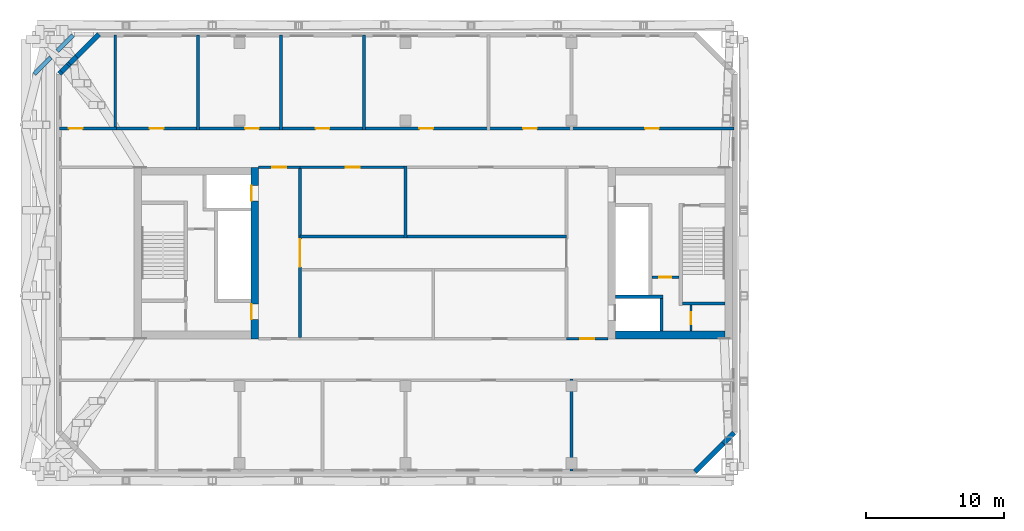
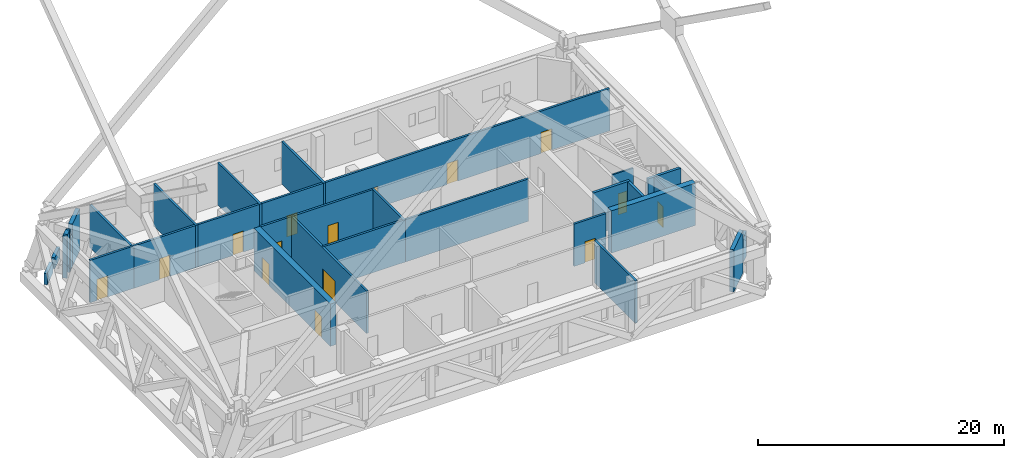
# One storey, part 9 of 22: 30 walls, 15 doors, 15 openings.
"""IFC4 building model written with IfcOpenShell, lengths in metres."""

import ifcopenshell
import ifcopenshell.guid

model = None  # the IFC model being written
_history = None  # IfcOwnerHistory: only IFC2X3 demands one
_inside = {}  # id of a spatial element -> (the spatial element, [elements in it])
_under = {}  # id of a project, library or spatial element -> (it, [spatial elements below it])
_declared = {}  # id of a project -> (the project, [libraries it declares])
_typed = {}  # id of a type object -> (the type object, [elements of that type])
_made_of = {}  # id of a material, layer set ... -> (it, [elements and type objects made of it])


def new_model(schema):
    """Start an empty IFC model of exactly this schema.

    Asked for "IFC4X3", IfcOpenShell would pick the latest addendum, in which some entities
    have other attributes; the version numbers below select the first issue.
    IFC2X3 requires an IfcOwnerHistory on every rooted entity: one is made here for all.
    """
    global model, _history
    if schema == "IFC4X3":
        model = ifcopenshell.file(schema_version=(4, 3, 0, 0))
    else:
        model = ifcopenshell.file(schema=schema)
    _inside.clear()
    _under.clear()
    _declared.clear()
    _typed.clear()
    _made_of.clear()
    _history = None
    if model.schema == "IFC2X3":
        org = make("IfcOrganization", Name="unknown")
        user = make(
            "IfcPersonAndOrganization",
            ThePerson=make("IfcPerson", FamilyName="unknown"),
            TheOrganization=org,
        )
        app = make(
            "IfcApplication",
            ApplicationDeveloper=org,
            Version="unknown",
            ApplicationFullName="unknown",
            ApplicationIdentifier="unknown",
        )
        _history = make(
            "IfcOwnerHistory",
            OwningUser=user,
            OwningApplication=app,
            ChangeAction="ADDED",
            CreationDate=0,
        )
    return model


def make(cls, **values):
    """One entity of the class cls with the attributes given. An attribute that is None is left unset."""
    return model.create_entity(
        cls, **{name: value for name, value in values.items() if value is not None}
    )


def rooted(cls, **values):
    """An entity with a GlobalId (a new one), such as an element, a storey or a relation."""
    return make(cls, GlobalId=ifcopenshell.guid.new(), OwnerHistory=_history, **values)


def si_unit(unit_type, name, prefix=None):
    """IfcSIUnit, for example si_unit("LENGTHUNIT", "METRE", prefix="MILLI")."""
    return make("IfcSIUnit", UnitType=unit_type, Prefix=prefix, Name=name)


def assignment(units):
    """IfcUnitAssignment: the units of a project."""
    return None if units is None else make("IfcUnitAssignment", Units=units)


def point(xyz):
    """IfcCartesianPoint."""
    return None if xyz is None else make("IfcCartesianPoint", Coordinates=xyz)


def direction(xyz):
    """IfcDirection."""
    return None if xyz is None else make("IfcDirection", DirectionRatios=xyz)


def frame(location, z_axis=None, x_axis=None):
    """IfcAxis2Placement3D, a coordinate frame: its origin and axes. An axis left out is left unset."""
    return make(
        "IfcAxis2Placement3D",
        Location=point(location),
        Axis=direction(z_axis),
        RefDirection=direction(x_axis),
    )


def frame_2d(location, x_axis=None):
    """IfcAxis2Placement2D, a coordinate frame in the plane: its origin and x axis."""
    return make(
        "IfcAxis2Placement2D", Location=point(location), RefDirection=direction(x_axis)
    )


def origin():
    """The frame at (0, 0, 0) with its axes left unset."""
    return frame((0.0, 0.0, 0.0))


def place(relative_to, where):
    """IfcLocalPlacement: puts the frame where relative to a parent placement (None: the world)."""
    return make(
        "IfcLocalPlacement", PlacementRelTo=relative_to, RelativePlacement=where
    )


def context(
    kind, dimensions, precision=None, world=None, true_north=None, identifier=None
):
    """IfcGeometricRepresentationContext, for example the 3D "Model" context."""
    return make(
        "IfcGeometricRepresentationContext",
        ContextIdentifier=identifier,
        ContextType=kind,
        CoordinateSpaceDimension=dimensions,
        Precision=precision,
        WorldCoordinateSystem=world,
        TrueNorth=true_north,
    )


def subcontext(parent, identifier, kind, view, scale=None):
    """IfcGeometricRepresentationSubContext, for example "Body" below "Model"."""
    return make(
        "IfcGeometricRepresentationSubContext",
        ContextIdentifier=identifier,
        ContextType=kind,
        ParentContext=parent,
        TargetScale=scale,
        TargetView=view,
    )


def project(units=None, contexts=None):
    """IfcProject with its units and contexts."""
    return rooted(
        "IfcProject",
        Name="project",
        RepresentationContexts=contexts,
        UnitsInContext=assignment(units),
    )


def spatial(cls, under=None, at=None, **own):
    """A site, building, storey or space (cls), placed at a placement, below another one or the project."""
    s = rooted(cls, ObjectPlacement=at, **own)
    if under is not None:
        _under.setdefault(under.id(), (under, []))[1].append(s)
    return s


def profile(cls, at=None, kind="AREA", **sizes):
    """A parametric profile (cls). Its sizes go by their IFC names, for example OverallWidth=200.0."""
    return make(cls, ProfileType=kind, Position=at, **sizes)


def rectangle(**sizes):
    """IfcRectangleProfileDef."""
    return profile("IfcRectangleProfileDef", **sizes)


def extrude(swept, where, along, depth):
    """IfcExtrudedAreaSolid: the profile swept, set in the frame where, extruded along a direction by depth."""
    return make(
        "IfcExtrudedAreaSolid",
        SweptArea=swept,
        Position=where,
        ExtrudedDirection=direction(along),
        Depth=depth,
    )


def shape(context_of_items, identifier, shape_type, items):
    """IfcShapeRepresentation: the items that make up one representation, for example the "Body"."""
    return make(
        "IfcShapeRepresentation",
        ContextOfItems=context_of_items,
        RepresentationIdentifier=identifier,
        RepresentationType=shape_type,
        Items=items,
    )


def material(Name=None, Category=None):
    """IfcMaterial."""
    return make("IfcMaterial", Name=Name, Category=Category)


def layer(
    of_material, thickness, ventilated=None, Name=None, Category=None, Priority=None
):
    """IfcMaterialLayer: one layer of a wall or slab, of a material (None: an air gap)."""
    return make(
        "IfcMaterialLayer",
        Material=of_material,
        LayerThickness=thickness,
        IsVentilated=ventilated,
        Name=Name,
        Category=Category,
        Priority=Priority,
    )


def layer_set(layers, Name=None):
    """IfcMaterialLayerSet."""
    return make("IfcMaterialLayerSet", MaterialLayers=layers, LayerSetName=Name)


def made_of(thing, what):
    """Note that an element or type object is made of a material, layer set ...; save() writes the relation."""
    if what is not None:
        _made_of.setdefault(what.id(), (what, []))[1].append(thing)
    return thing


def type_object(cls, material=None, **own):
    """A type object (cls), such as IfcWallType, which elements share."""
    return made_of(rooted(cls, **own), material)


def element(
    cls,
    number,
    at=None,
    inside=None,
    cuts=None,
    type_object=None,
    material=None,
    context=None,
    identifier="Body",
    shape_type=None,
    held_by="IfcProductDefinitionShape",
    body=None,
    shapes=None,
    **own,
):
    """One element of the class cls, such as IfcWall. Its Tag is "e" and its number.

    at: its placement. inside: the storey or other place that contains it. cuts: it is an
    opening in that element (IfcRelVoidsElement). A single representation is given by context,
    identifier, shape_type and body (its items); several are given by shapes. held_by: the class
    of the entity that holds the representations. save() writes the other relations.
    """
    e = rooted(cls, Tag="e%d" % number, ObjectPlacement=at, **own)
    if body is not None:
        shapes = [shape(context, identifier, shape_type, body)]
    if shapes is not None:
        e.Representation = make(held_by, Representations=shapes)
    if inside is not None:
        _inside.setdefault(inside.id(), (inside, []))[1].append(e)
    if cuts is not None:
        rooted(
            "IfcRelVoidsElement", RelatingBuildingElement=cuts, RelatedOpeningElement=e
        )
    if type_object is not None:
        _typed.setdefault(type_object.id(), (type_object, []))[1].append(e)
    return made_of(e, material)


def fill(opening, filler):
    """IfcRelFillsElement: the door or window that sits in an opening."""
    return rooted(
        "IfcRelFillsElement",
        RelatingOpeningElement=opening,
        RelatedBuildingElement=filler,
    )


def aggregate(whole, parts):
    """IfcRelAggregates: a whole, such as a stair, and the parts it consists of."""
    return rooted("IfcRelAggregates", RelatingObject=whole, RelatedObjects=parts)


def save(model, path):
    """Write the relations noted so far, then the file.

    IfcRelAggregates (storeys below a building ...), IfcRelContainedInSpatialStructure (elements
    in a storey), IfcRelDefinesByType, IfcRelAssociatesMaterial and IfcRelDeclares: one each for
    every whole, place, type object, material and project.
    """
    for whole, parts in _under.values():
        aggregate(whole, parts)
    for where, things in _inside.values():
        rooted(
            "IfcRelContainedInSpatialStructure",
            RelatedElements=things,
            RelatingStructure=where,
        )
    for kind, things in _typed.values():
        rooted("IfcRelDefinesByType", RelatedObjects=things, RelatingType=kind)
    for what, things in _made_of.values():
        rooted("IfcRelAssociatesMaterial", RelatedObjects=things, RelatingMaterial=what)
    for by, libraries in _declared.values():
        rooted("IfcRelDeclares", RelatingContext=by, RelatedDefinitions=libraries)
    model.write(path)


model = new_model("IFC4")

# Units and contexts
model_context = context("Model", 3, precision=1e-05, world=origin(), true_north=direction((0.0, 1.0)))
body_context = subcontext(model_context, "Body", "Model", "MODEL_VIEW")
ifc_project = project(units=[si_unit("LENGTHUNIT", "METRE"), si_unit("AREAUNIT", "SQUARE_METRE"), si_unit("VOLUMEUNIT", "CUBIC_METRE"), si_unit("PLANEANGLEUNIT", "RADIAN"), si_unit("MASSUNIT", "GRAM", prefix="KILO")], contexts=[model_context])

# Site, building, storey
site_placement = place(None, origin())
site = spatial("IfcSite", under=ifc_project, at=site_placement, CompositionType="ELEMENT")
building_placement = place(site_placement, origin())
building = spatial("IfcBuilding", under=site, at=building_placement, Name="Tuart Gate Housing", CompositionType="ELEMENT")
storey_placement = place(building_placement, frame((0.0, 0.0, 115.0)))
storey = spatial("IfcBuildingStorey", under=building, at=storey_placement, Name="L32", CompositionType="ELEMENT", Elevation=115.0)

# Walls
ifc_material_1 = material(Name="Brick", Category="masonry")
ifc_layer_1 = layer(ifc_material_1, 0.300048828125)
ifc_layer_set_1 = layer_set([ifc_layer_1], Name="Brick parapet wall 300")
wall_type_1 = type_object("IfcWallType", Name="Brick parapet wall 300", PredefinedType="PARAPET", material=ifc_layer_set_1)
wall_1_placement = place(storey_placement, frame((27.95458984375, 85.742431640625, 0.0), z_axis=(0.0, 0.0, 1.0), x_axis=(-0.707106781187, -0.707106781187, 0.0)))
element("IfcWall", 1, at=wall_1_placement, inside=storey, type_object=wall_type_1, Name="Roof parapet A 2", PredefinedType="PARAPET", context=body_context, shape_type="SweptSolid", body=[
    extrude(rectangle(XDim=1.6181640625, YDim=0.300048828125, at=frame_2d((0.80908203125, 0.0))), origin(), (0.0, 0.0, 1.0), 1.10009765625),
])
wall_2_placement = place(storey_placement, frame((26.353759765625, 84.1416015625, 0.0), z_axis=(0.0, 0.0, 1.0), x_axis=(-0.707178484961, -0.70703507014, 0.0)))
element("IfcWall", 2, at=wall_2_placement, inside=storey, type_object=wall_type_1, Name="Roof parapet A 2", PredefinedType="PARAPET", context=body_context, shape_type="SweptSolid", body=[
    extrude(rectangle(XDim=1.702392578125, YDim=0.300048828125, at=frame_2d((0.85107421875, 0.0))), origin(), (0.0, 0.0, 1.0), 1.10009765625),
])
ifc_material_2 = material(Name="Brick", Category="masonry")
ifc_layer_2 = layer(ifc_material_2, 0.360107421875)
ifc_layer_set_2 = layer_set([ifc_layer_2], Name="Brick pier and spandrel wall 360")
wall_type_2 = type_object("IfcWallType", Name="Brick pier and spandrel wall 360", PredefinedType="STANDARD", material=ifc_layer_set_2)
wall_3_placement = place(storey_placement, frame((72.92529296875, 54.179931640625, 0.0), z_axis=(0.0, 0.0, 1.0), x_axis=(0.707148882153, 0.707064677713, 0.0)))
element("IfcWall", 3, at=wall_3_placement, inside=storey, type_object=wall_type_2, Name="External wall A-SE L32", PredefinedType="STANDARD", context=body_context, shape_type="SweptSolid", body=[
    extrude(rectangle(XDim=2.8994140625, YDim=0.360107421875, at=frame_2d((1.44970703125, 0.0))), origin(), (0.0, 0.0, 1.0), 4.199951171875),
])
wall_4_placement = place(storey_placement, frame((74.9755859375, 56.22998046875, 0.952880859375), z_axis=(0.0, 0.0, 1.0), x_axis=(0.706994764273, 0.707218780358, 0.0)))
element("IfcWall", 4, at=wall_4_placement, inside=storey, type_object=wall_type_2, Name="External wall A-SE L32", PredefinedType="STANDARD", context=body_context, shape_type="SweptSolid", body=[
    extrude(rectangle(XDim=1.08984375, YDim=0.360107421875, at=frame_2d((0.544921875, 0.0))), origin(), (0.0, 0.0, 1.0), 2.444091796875),
])
wall_5_placement = place(storey_placement, frame((29.82470703125, 85.820068359375, 0.0), z_axis=(0.0, 0.0, 1.0), x_axis=(-0.707106781187, -0.707106781187, 0.0)))
element("IfcWall", 5, at=wall_5_placement, inside=storey, type_object=wall_type_2, Name="External wall A-NW L32", PredefinedType="STANDARD", context=body_context, shape_type="SweptSolid", body=[
    extrude(rectangle(XDim=2.291259765625, YDim=0.360107421875, at=frame_2d((1.1455078125, 0.0))), origin(), (0.0, 0.0, 1.0), 4.199951171875),
])
wall_6_placement = place(storey_placement, frame((28.20458984375, 84.199951171875, 0.0), z_axis=(0.0, 0.0, 1.0), x_axis=(-0.707106781187, -0.707106781187, 0.0)))
element("IfcWall", 6, at=wall_6_placement, inside=storey, type_object=wall_type_2, Name="External wall A-NW L32", PredefinedType="STANDARD", context=body_context, shape_type="SweptSolid", body=[
    extrude(rectangle(XDim=0.68994140625, YDim=0.360107421875, at=frame_2d((0.344970703125, 0.0))), origin(), (0.0, 0.0, 1.0), 3.39697265625),
])
wall_7_placement = place(storey_placement, frame((27.716796875, 83.712158203125, 0.0), z_axis=(0.0, 0.0, 1.0), x_axis=(-0.707106781187, -0.707106781187, 0.0)))
element("IfcWall", 7, at=wall_7_placement, inside=storey, type_object=wall_type_2, Name="External wall A-NW L32", PredefinedType="STANDARD", context=body_context, shape_type="SweptSolid", body=[
    extrude(rectangle(XDim=0.18603515625, YDim=0.360107421875, at=frame_2d((0.093017578125, 0.0))), origin(), (0.0, 0.0, 1.0), 4.199951171875),
])
wall_8_placement = place(storey_placement, frame((27.585205078125, 83.58056640625, 0.952880859375), z_axis=(0.0, 0.0, 1.0), x_axis=(-0.707106781187, -0.707106781187, 0.0)))
element("IfcWall", 8, at=wall_8_placement, inside=storey, type_object=wall_type_2, Name="External wall A-NW L32", PredefinedType="STANDARD", context=body_context, shape_type="SweptSolid", body=[
    extrude(rectangle(XDim=0.652099609375, YDim=0.360107421875, at=frame_2d((0.326171875, 0.0))), origin(), (0.0, 0.0, 1.0), 3.2470703125),
])
wall_9_placement = place(storey_placement, frame((27.1240234375, 83.119384765625, 0.0), z_axis=(0.0, 0.0, 1.0), x_axis=(-0.707106781187, -0.707106781187, 0.0)))
element("IfcWall", 9, at=wall_9_placement, inside=storey, type_object=wall_type_2, Name="External wall A-NW L32", PredefinedType="STANDARD", context=body_context, shape_type="SweptSolid", body=[
    extrude(rectangle(XDim=0.224365234375, YDim=0.360107421875, at=frame_2d((0.1123046875, 0.0))), origin(), (0.0, 0.0, 1.0), 4.199951171875),
])

# Wall, opening, door
ifc_material_3 = material(Name="Plasterboard partition")
ifc_layer_3 = layer(ifc_material_3, 0.14990234375)
ifc_layer_set_3 = layer_set([ifc_layer_3], Name="Core partition 150")
wall_type_3 = type_object("IfcWallType", Name="Core partition 150", PredefinedType="PARTITIONING", material=ifc_layer_set_3)
wall_10_placement = place(storey_placement, frame((69.81494140625, 68.25, 0.0), z_axis=(0.0, 0.0, 1.0), x_axis=(1.0, 0.0, 0.0)))
wall_10 = element("IfcWall", 10, at=wall_10_placement, inside=storey, type_object=wall_type_3, Name="Core partition AG.3", PredefinedType="PARTITIONING", context=body_context, shape_type="SweptSolid", body=[
    extrude(rectangle(XDim=1.949951171875, YDim=0.14990234375, at=frame_2d((0.97509765625, 0.0))), origin(), (0.0, 0.0, 1.0), 4.199951171875),
])
opening_1_placement = place(wall_10_placement, frame((0.550048828125, 0.0, 0.0)))
opening_1 = element("IfcOpeningElement", 11, at=opening_1_placement, cuts=wall_10, Name="Opening D3394", PredefinedType="OPENING", context=body_context, shape_type="SweptSolid", body=[
    extrude(rectangle(XDim=0.85009765625, YDim=2.10009765625, at=frame_2d((0.425048828125, 1.050048828125))), frame((0.0, 0.0849609375, 0.0), z_axis=(0.0, -1.0, 0.0), x_axis=(1.0, 0.0, 0.0)), (0.0, 0.0, 1.0), 0.169921875),
])
ifc_material_4 = material(Name="Steel fire door", Category="steel")
door_type_1 = type_object("IfcDoorType", Name="Riser door 850 x 2100 RH", OperationType="SINGLE_SWING_RIGHT", PredefinedType="DOOR", material=ifc_material_4)
door_1_placement = place(opening_1_placement, frame((0.85009765625, 0.0, 0.0), z_axis=(0.0, 0.0, 1.0), x_axis=(-1.0, 0.0, 0.0)))
door_1 = element("IfcDoor", 12, at=door_1_placement, inside=storey, type_object=door_type_1, Name="Service room door AG.E1", OperationType="SINGLE_SWING_RIGHT", OverallHeight=2.10009765625, OverallWidth=0.85009765625, PredefinedType="DOOR", context=body_context, shape_type="SweptSolid", body=[
    extrude(rectangle(XDim=0.85009765625, YDim=2.10009765625, at=frame_2d((0.425048828125, 1.050048828125))), frame((0.0, 0.025146484375, 0.0), z_axis=(0.0, -1.0, 0.0), x_axis=(1.0, 0.0, 0.0)), (0.0, 0.0, 1.0), 0.050048828125),
])
fill(opening_1, door_1)

wall_11_placement = place(storey_placement, frame((72.639892578125, 64.35009765625, 0.0), z_axis=(0.0, 0.0, 1.0), x_axis=(0.0, 1.0, 0.0)))
wall_11 = element("IfcWall", 13, at=wall_11_placement, inside=storey, type_object=wall_type_3, Name="Core partition AG.9", PredefinedType="PARTITIONING", context=body_context, shape_type="SweptSolid", body=[
    extrude(rectangle(XDim=1.875, YDim=0.14990234375, at=frame_2d((0.9375, 0.0))), origin(), (0.0, 0.0, 1.0), 4.199951171875),
])
opening_2_placement = place(wall_11_placement, frame((0.512451171875, 0.0, 0.0)))
opening_2 = element("IfcOpeningElement", 14, at=opening_2_placement, cuts=wall_11, Name="Opening D3396", PredefinedType="OPENING", context=body_context, shape_type="SweptSolid", body=[
    extrude(rectangle(XDim=0.85009765625, YDim=2.10009765625, at=frame_2d((0.425048828125, 1.050048828125))), frame((0.0, 0.0849609375, 0.0), z_axis=(0.0, -1.0, 0.0), x_axis=(1.0, 0.0, 0.0)), (0.0, 0.0, 1.0), 0.169921875),
])
ifc_material_5 = material(Name="Steel fire door", Category="steel")
door_type_2 = type_object("IfcDoorType", Name="Service door 850 x 2100 RH", OperationType="SINGLE_SWING_RIGHT", PredefinedType="DOOR", material=ifc_material_5)
door_2_placement = place(opening_2_placement, frame((0.85009765625, 0.0, 0.0), z_axis=(0.0, 0.0, 1.0), x_axis=(-1.0, 0.0, 0.0)))
door_2 = element("IfcDoor", 15, at=door_2_placement, inside=storey, type_object=door_type_2, Name="Service room door AG.E2", OperationType="SINGLE_SWING_RIGHT", OverallHeight=2.10009765625, OverallWidth=0.85009765625, PredefinedType="DOOR", context=body_context, shape_type="SweptSolid", body=[
    extrude(rectangle(XDim=0.85009765625, YDim=2.10009765625, at=frame_2d((0.425048828125, 1.050048828125))), frame((0.0, 0.025146484375, 0.0), z_axis=(0.0, -1.0, 0.0), x_axis=(1.0, 0.0, 0.0)), (0.0, 0.0, 1.0), 0.050048828125),
])
fill(opening_2, door_2)

# Walls
ifc_material_6 = material(Name="Concrete C50", Category="concrete")
ifc_layer_4 = layer(ifc_material_6, 0.25)
ifc_layer_set_4 = layer_set([ifc_layer_4], Name="Core wall 250 C50")
wall_type_4 = type_object("IfcWallType", Name="Core wall 250 C50", PredefinedType="SHEAR", material=ifc_layer_set_4)
wall_12_placement = place(storey_placement, frame((72.014892578125, 66.35009765625, 0.0), z_axis=(0.0, 0.0, 1.0), x_axis=(1.0, 0.0, 0.0)))
element("IfcWall", 16, at=wall_12_placement, inside=storey, type_object=wall_type_4, Name="Core wall AG.1", PredefinedType="SHEAR", context=body_context, shape_type="SweptSolid", body=[
    extrude(rectangle(XDim=3.0751953125, YDim=0.25, at=frame_2d((1.53759765625, 0.0))), origin(), (0.0, 0.0, 1.0), 4.199951171875),
])
wall_13_placement = place(storey_placement, frame((67.18994140625, 66.85009765625, 0.0), z_axis=(0.0, 0.0, 1.0), x_axis=(1.0, 0.0, 0.0)))
element("IfcWall", 17, at=wall_13_placement, inside=storey, type_object=wall_type_4, Name="Core wall AG.2", PredefinedType="SHEAR", context=body_context, shape_type="SweptSolid", body=[
    extrude(rectangle(XDim=3.445068359375, YDim=0.25, at=frame_2d((1.72265625, 0.0))), origin(), (0.0, 0.0, 1.0), 4.199951171875),
])
wall_14_placement = place(storey_placement, frame((70.510009765625, 64.35009765625, 0.0), z_axis=(0.0, 0.0, 1.0), x_axis=(0.0, 1.0, 0.0)))
element("IfcWall", 18, at=wall_14_placement, inside=storey, type_object=wall_type_4, Name="Core wall AG.7", PredefinedType="SHEAR", context=body_context, shape_type="SweptSolid", body=[
    extrude(rectangle(XDim=2.375, YDim=0.25, at=frame_2d((1.1875, 0.0))), origin(), (0.0, 0.0, 1.0), 4.199951171875),
])
ifc_material_7 = material(Name="Concrete C50", Category="concrete")
ifc_layer_5 = layer(ifc_material_7, 0.550048828125)
ifc_layer_set_5 = layer_set([ifc_layer_5], Name="Core wall 550 C50")
wall_type_5 = type_object("IfcWallType", Name="Core wall 550 C50", PredefinedType="SHEAR", material=ifc_layer_set_5)
wall_15_placement = place(storey_placement, frame((67.18994140625, 64.074951171875, 0.0), z_axis=(0.0, 0.0, 1.0), x_axis=(1.0, 0.0, 0.0)))
element("IfcWall", 19, at=wall_15_placement, inside=storey, type_object=wall_type_5, Name="Core wall AG south", PredefinedType="SHEAR", context=body_context, shape_type="SweptSolid", body=[
    extrude(rectangle(XDim=7.900146484375, YDim=0.550048828125, at=frame_2d((3.9501953125, 0.0))), origin(), (0.0, 0.0, 1.0), 4.199951171875),
])

# Wall, openings, doors
wall_16_placement = place(storey_placement, frame((41.0849609375, 76.199951171875, 0.0), z_axis=(0.0, 0.0, 1.0), x_axis=(0.0, -1.0, 0.0)))
wall_16 = element("IfcWall", 20, at=wall_16_placement, inside=storey, type_object=wall_type_5, Name="Core wall AK front", PredefinedType="SHEAR", context=body_context, shape_type="SweptSolid", body=[
    extrude(rectangle(XDim=12.39990234375, YDim=0.550048828125, at=frame_2d((6.199951171875, 0.0))), origin(), (0.0, 0.0, 1.0), 4.199951171875),
])
opening_3_placement = place(wall_16_placement, frame((1.324951171875, 0.0, 0.0)))
opening_3 = element("IfcOpeningElement", 21, at=opening_3_placement, cuts=wall_16, Name="Opening LD-FA2", PredefinedType="OPENING", context=body_context, shape_type="SweptSolid", body=[
    extrude(rectangle(XDim=1.10009765625, YDim=2.10009765625, at=frame_2d((0.550048828125, 1.050048828125))), frame((0.0, 0.284912109375, 0.0), z_axis=(0.0, -1.0, 0.0), x_axis=(1.0, 0.0, 0.0)), (0.0, 0.0, 1.0), 0.570068359375),
])
opening_4_placement = place(wall_16_placement, frame((9.89990234375, 0.0, 0.0)))
opening_4 = element("IfcOpeningElement", 22, at=opening_4_placement, cuts=wall_16, Name="Opening D3390", PredefinedType="OPENING", context=body_context, shape_type="SweptSolid", body=[
    extrude(rectangle(XDim=1.10009765625, YDim=2.10009765625, at=frame_2d((0.550048828125, 1.050048828125))), frame((0.0, 0.284912109375, 0.0), z_axis=(0.0, -1.0, 0.0), x_axis=(1.0, 0.0, 0.0)), (0.0, 0.0, 1.0), 0.570068359375),
])
ifc_material_8 = material(Name="Stainless steel", Category="steel")
door_type_3 = type_object("IfcDoorType", Name="Landing door 1100 x 2100", OperationType="DOUBLE_DOOR_SLIDING", PredefinedType="DOOR", material=ifc_material_8)
door_3_placement = place(opening_3_placement, origin())
door_3 = element("IfcDoor", 23, at=door_3_placement, inside=storey, type_object=door_type_3, Name="Lift landing door FA2", OperationType="DOUBLE_DOOR_SLIDING", OverallHeight=2.10009765625, OverallWidth=1.10009765625, PredefinedType="DOOR", context=body_context, shape_type="SweptSolid", body=[
    extrude(rectangle(XDim=1.10009765625, YDim=2.10009765625, at=frame_2d((0.550048828125, 1.050048828125))), frame((0.0, -0.2099609375, 0.0), z_axis=(0.0, -1.0, 0.0), x_axis=(1.0, 0.0, 0.0)), (0.0, 0.0, 1.0), 0.050048828125),
])
fill(opening_3, door_3)
ifc_material_9 = material(Name="Steel fire door", Category="steel")
door_type_4 = type_object("IfcDoorType", Name="Lobby door 1100 x 2100 RH", OperationType="SINGLE_SWING_RIGHT", PredefinedType="DOOR", material=ifc_material_9)
door_4_placement = place(opening_4_placement, frame((1.10009765625, 0.0, 0.0), z_axis=(0.0, 0.0, 1.0), x_axis=(-1.0, 0.0, 0.0)))
door_4 = element("IfcDoor", 24, at=door_4_placement, inside=storey, type_object=door_type_4, Name="Lobby entry door AK.EN", OperationType="SINGLE_SWING_RIGHT", OverallHeight=2.10009765625, OverallWidth=1.10009765625, PredefinedType="DOOR", context=body_context, shape_type="SweptSolid", body=[
    extrude(rectangle(XDim=1.10009765625, YDim=2.10009765625, at=frame_2d((0.550048828125, 1.050048828125))), frame((0.0, 0.260009765625, 0.0), z_axis=(0.0, -1.0, 0.0), x_axis=(1.0, 0.0, 0.0)), (0.0, 0.0, 1.0), 0.050048828125),
])
fill(opening_4, door_4)

# Wall
ifc_material_10 = material(Name="Concrete masonry 15 MPa", Category="masonry")
ifc_layer_6 = layer(ifc_material_10, 0.199951171875)
ifc_layer_set_6 = layer_set([ifc_layer_6], Name="Corridor wall masonry 200")
wall_type_6 = type_object("IfcWallType", Name="Corridor wall masonry 200", PredefinedType="PARTITIONING", material=ifc_layer_set_6)
wall_17_placement = place(storey_placement, frame((44.360107421875, 71.199951171875, 0.0), z_axis=(0.0, 0.0, 1.0), x_axis=(1.0, 0.0, 0.0)))
element("IfcWall", 25, at=wall_17_placement, inside=storey, type_object=wall_type_6, Name="Corridor wall masonry 200", PredefinedType="PARTITIONING", context=body_context, shape_type="SweptSolid", body=[
    extrude(rectangle(XDim=7.739990234375, YDim=0.199951171875, at=frame_2d((3.8701171875, 0.0))), origin(), (0.0, 0.0, 1.0), 4.199951171875),
])

# Wall, opening, door
wall_18_placement = place(storey_placement, frame((44.360107421875, 76.199951171875, 0.0), z_axis=(0.0, 0.0, 1.0), x_axis=(1.0, 0.0, 0.0)))
wall_18 = element("IfcWall", 26, at=wall_18_placement, inside=storey, type_object=wall_type_6, Name="Corridor wall masonry 200", PredefinedType="PARTITIONING", context=body_context, shape_type="SweptSolid", body=[
    extrude(rectangle(XDim=7.739990234375, YDim=0.199951171875, at=frame_2d((3.8701171875, 0.0))), origin(), (0.0, 0.0, 1.0), 4.199951171875),
])
opening_5_placement = place(wall_18_placement, frame((3.320068359375, 0.0, 0.0)))
opening_5 = element("IfcOpeningElement", 27, at=opening_5_placement, cuts=wall_18, Name="Opening D3384", PredefinedType="OPENING", context=body_context, shape_type="SweptSolid", body=[
    extrude(rectangle(XDim=1.0, YDim=2.10009765625, at=frame_2d((0.5, 1.050048828125))), frame((0.0, 0.10986328125, 0.0), z_axis=(0.0, -1.0, 0.0), x_axis=(1.0, 0.0, 0.0)), (0.0, 0.0, 1.0), 0.219970703125),
])
ifc_material_11 = material(Name="Timber door leaf in steel frame", Category="steel")
door_type_5 = type_object("IfcDoorType", Name="Fire door 1000 RH", OperationType="SINGLE_SWING_RIGHT", PredefinedType="DOOR", material=ifc_material_11)
door_5_placement = place(opening_5_placement, frame((1.0, 0.0, 0.0), z_axis=(0.0, 0.0, 1.0), x_axis=(-1.0, 0.0, 0.0)))
door_5 = element("IfcDoor", 28, at=door_5_placement, inside=storey, type_object=door_type_5, Name="Fire door 1000", OperationType="SINGLE_SWING_RIGHT", OverallHeight=2.10009765625, OverallWidth=1.0, PredefinedType="DOOR", context=body_context, shape_type="SweptSolid", body=[
    extrude(rectangle(XDim=1.0, YDim=2.10009765625, at=frame_2d((0.5, 1.050048828125))), frame((0.0, 0.025146484375, 0.0), z_axis=(0.0, -1.0, 0.0), x_axis=(1.0, 0.0, 0.0)), (0.0, 0.0, 1.0), 0.050048828125),
])
fill(opening_5, door_5)

wall_19_placement = place(storey_placement, frame((26.989990234375, 79.0, 0.0), z_axis=(0.0, 0.0, 1.0), x_axis=(1.0, 0.0, 0.0)))
wall_19 = element("IfcWall", 29, at=wall_19_placement, inside=storey, type_object=wall_type_6, Name="Corridor wall masonry 200", PredefinedType="PARTITIONING", context=body_context, shape_type="SweptSolid", body=[
    extrude(rectangle(XDim=4.110107421875, YDim=0.199951171875, at=frame_2d((2.05517578125, 0.0))), origin(), (0.0, 0.0, 1.0), 4.199951171875),
])
opening_6_placement = place(wall_19_placement, frame((0.6650390625, 0.0, 0.0)))
opening_6 = element("IfcOpeningElement", 30, at=opening_6_placement, cuts=wall_19, Name="Opening D3376", PredefinedType="OPENING", context=body_context, shape_type="SweptSolid", body=[
    extrude(rectangle(XDim=1.0, YDim=2.10009765625, at=frame_2d((0.5, 1.050048828125))), frame((0.0, 0.10986328125, 0.0), z_axis=(0.0, -1.0, 0.0), x_axis=(1.0, 0.0, 0.0)), (0.0, 0.0, 1.0), 0.219970703125),
])
ifc_material_12 = material(Name="Timber door leaf in steel frame", Category="steel")
door_type_6 = type_object("IfcDoorType", Name="Fire door 1000", OperationType="SINGLE_SWING_LEFT", PredefinedType="DOOR", material=ifc_material_12)
door_6_placement = place(opening_6_placement, origin())
door_6 = element("IfcDoor", 31, at=door_6_placement, inside=storey, type_object=door_type_6, Name="Fire door 1000", OperationType="SINGLE_SWING_LEFT", OverallHeight=2.10009765625, OverallWidth=1.0, PredefinedType="DOOR", context=body_context, shape_type="SweptSolid", body=[
    extrude(rectangle(XDim=1.0, YDim=2.10009765625, at=frame_2d((0.5, 1.050048828125))), frame((0.0, 0.02490234375, 0.0), z_axis=(0.0, -1.0, 0.0), x_axis=(1.0, 0.0, 0.0)), (0.0, 0.0, 1.0), 0.050048828125),
])
fill(opening_6, door_6)

ifc_material_13 = material(Name="Concrete masonry 15 MPa", Category="masonry")
ifc_layer_7 = layer(ifc_material_13, 0.199951171875)
ifc_layer_set_7 = layer_set([ifc_layer_7], Name="Enclosure wall masonry 200")
wall_type_7 = type_object("IfcWallType", Name="Enclosure wall masonry 200", PredefinedType="PARTITIONING", material=ifc_layer_set_7)
wall_20_placement = place(storey_placement, frame((63.639892578125, 63.800048828125, 0.0), z_axis=(0.0, 0.0, 1.0), x_axis=(1.0, 0.0, 0.0)))
wall_20 = element("IfcWall", 32, at=wall_20_placement, inside=storey, type_object=wall_type_7, Name="Enclosure wall masonry 200", PredefinedType="PARTITIONING", context=body_context, shape_type="SweptSolid", body=[
    extrude(rectangle(XDim=3.0, YDim=0.199951171875, at=frame_2d((1.5, 0.0))), origin(), (0.0, 0.0, 1.0), 4.199951171875),
])
opening_7_placement = place(wall_20_placement, frame((1.0, 0.0, 0.0)))
opening_7 = element("IfcOpeningElement", 33, at=opening_7_placement, cuts=wall_20, Name="Opening D3401", PredefinedType="OPENING", context=body_context, shape_type="SweptSolid", body=[
    extrude(rectangle(XDim=1.0, YDim=2.10009765625, at=frame_2d((0.5, 1.050048828125))), frame((0.0, 0.10986328125, 0.0), z_axis=(0.0, -1.0, 0.0), x_axis=(1.0, 0.0, 0.0)), (0.0, 0.0, 1.0), 0.219970703125),
])
ifc_material_14 = material(Name="Timber door leaf in steel frame", Category="steel")
door_type_7 = type_object("IfcDoorType", Name="Lobby door 1000", OperationType="SINGLE_SWING_LEFT", PredefinedType="DOOR", material=ifc_material_14)
door_7_placement = place(opening_7_placement, origin())
door_7 = element("IfcDoor", 34, at=door_7_placement, inside=storey, type_object=door_type_7, Name="Lobby door 1000", OperationType="SINGLE_SWING_LEFT", OverallHeight=2.10009765625, OverallWidth=1.0, PredefinedType="DOOR", context=body_context, shape_type="SweptSolid", body=[
    extrude(rectangle(XDim=1.0, YDim=2.10009765625, at=frame_2d((0.5, 1.050048828125))), frame((0.0, 0.02490234375, 0.0), z_axis=(0.0, -1.0, 0.0), x_axis=(1.0, 0.0, 0.0)), (0.0, 0.0, 1.0), 0.050048828125),
])
fill(opening_7, door_7)

# Wall
wall_21_placement = place(storey_placement, frame((51.89990234375, 71.199951171875, 0.0), z_axis=(0.0, 0.0, 1.0), x_axis=(1.0, 0.0, 0.0)))
element("IfcWall", 35, at=wall_21_placement, inside=storey, type_object=wall_type_7, Name="Enclosure wall masonry 200", PredefinedType="PARTITIONING", context=body_context, shape_type="SweptSolid", body=[
    extrude(rectangle(XDim=11.739990234375, YDim=0.199951171875, at=frame_2d((5.8701171875, 0.0))), origin(), (0.0, 0.0, 1.0), 4.199951171875),
])

# Wall, opening, door
wall_22_placement = place(storey_placement, frame((41.360107421875, 76.199951171875, 0.0), z_axis=(0.0, 0.0, 1.0), x_axis=(1.0, 0.0, 0.0)))
wall_22 = element("IfcWall", 36, at=wall_22_placement, inside=storey, type_object=wall_type_7, Name="Enclosure wall masonry 200", PredefinedType="PARTITIONING", context=body_context, shape_type="SweptSolid", body=[
    extrude(rectangle(XDim=3.0, YDim=0.199951171875, at=frame_2d((1.5, 0.0))), origin(), (0.0, 0.0, 1.0), 4.199951171875),
])
opening_8_placement = place(wall_22_placement, frame((1.0, 0.0, 0.0)))
opening_8 = element("IfcOpeningElement", 37, at=opening_8_placement, cuts=wall_22, Name="Opening D3383", PredefinedType="OPENING", context=body_context, shape_type="SweptSolid", body=[
    extrude(rectangle(XDim=1.0, YDim=2.10009765625, at=frame_2d((0.5, 1.050048828125))), frame((0.0, 0.10986328125, 0.0), z_axis=(0.0, -1.0, 0.0), x_axis=(1.0, 0.0, 0.0)), (0.0, 0.0, 1.0), 0.219970703125),
])
door_8_placement = place(opening_8_placement, frame((1.0, 0.0, 0.0), z_axis=(0.0, 0.0, 1.0), x_axis=(-1.0, 0.0, 0.0)))
door_8 = element("IfcDoor", 38, at=door_8_placement, inside=storey, type_object=door_type_7, Name="Lobby door 1000", OperationType="SINGLE_SWING_LEFT", OverallHeight=2.10009765625, OverallWidth=1.0, PredefinedType="DOOR", context=body_context, shape_type="SweptSolid", body=[
    extrude(rectangle(XDim=1.0, YDim=2.10009765625, at=frame_2d((0.5, 1.050048828125))), frame((0.0, 0.025146484375, 0.0), z_axis=(0.0, -1.0, 0.0), x_axis=(1.0, 0.0, 0.0)), (0.0, 0.0, 1.0), 0.050048828125),
])
fill(opening_8, door_8)

# Wall, openings, doors
wall_23_placement = place(storey_placement, frame((30.89990234375, 79.0, 0.0), z_axis=(0.0, 0.0, 1.0), x_axis=(1.0, 0.0, 0.0)))
wall_23 = element("IfcWall", 39, at=wall_23_placement, inside=storey, type_object=wall_type_7, Name="Enclosure wall masonry 200", PredefinedType="PARTITIONING", context=body_context, shape_type="SweptSolid", body=[
    extrude(rectangle(XDim=44.860107421875, YDim=0.199951171875, at=frame_2d((22.43017578125, 0.0))), origin(), (0.0, 0.0, 1.0), 4.199951171875),
])
opening_9_placement = place(wall_23_placement, frame((2.60009765625, 0.0, 0.0)))
opening_9 = element("IfcOpeningElement", 40, at=opening_9_placement, cuts=wall_23, Name="Opening D3377", PredefinedType="OPENING", context=body_context, shape_type="SweptSolid", body=[
    extrude(rectangle(XDim=1.0, YDim=2.10009765625, at=frame_2d((0.5, 1.050048828125))), frame((0.0, 0.10986328125, 0.0), z_axis=(0.0, -1.0, 0.0), x_axis=(1.0, 0.0, 0.0)), (0.0, 0.0, 1.0), 0.219970703125),
])
opening_10_placement = place(wall_23_placement, frame((9.5, 0.0, 0.0)))
opening_10 = element("IfcOpeningElement", 41, at=opening_10_placement, cuts=wall_23, Name="Opening D3378", PredefinedType="OPENING", context=body_context, shape_type="SweptSolid", body=[
    extrude(rectangle(XDim=1.0, YDim=2.10009765625, at=frame_2d((0.5, 1.050048828125))), frame((0.0, 0.10986328125, 0.0), z_axis=(0.0, -1.0, 0.0), x_axis=(1.0, 0.0, 0.0)), (0.0, 0.0, 1.0), 0.219970703125),
])
opening_11_placement = place(wall_23_placement, frame((14.60009765625, 0.0, 0.0)))
opening_11 = element("IfcOpeningElement", 42, at=opening_11_placement, cuts=wall_23, Name="Opening D3379", PredefinedType="OPENING", context=body_context, shape_type="SweptSolid", body=[
    extrude(rectangle(XDim=1.0, YDim=2.10009765625, at=frame_2d((0.5, 1.050048828125))), frame((0.0, 0.10986328125, 0.0), z_axis=(0.0, -1.0, 0.0), x_axis=(1.0, 0.0, 0.0)), (0.0, 0.0, 1.0), 0.219970703125),
])
opening_12_placement = place(wall_23_placement, frame((22.10009765625, 0.0, 0.0)))
opening_12 = element("IfcOpeningElement", 43, at=opening_12_placement, cuts=wall_23, Name="Opening D3380", PredefinedType="OPENING", context=body_context, shape_type="SweptSolid", body=[
    extrude(rectangle(XDim=1.0, YDim=2.10009765625, at=frame_2d((0.5, 1.050048828125))), frame((0.0, 0.10986328125, 0.0), z_axis=(0.0, -1.0, 0.0), x_axis=(1.0, 0.0, 0.0)), (0.0, 0.0, 1.0), 0.219970703125),
])
opening_13_placement = place(wall_23_placement, frame((29.60009765625, 0.0, 0.0)))
opening_13 = element("IfcOpeningElement", 44, at=opening_13_placement, cuts=wall_23, Name="Opening D3381", PredefinedType="OPENING", context=body_context, shape_type="SweptSolid", body=[
    extrude(rectangle(XDim=1.0, YDim=2.10009765625, at=frame_2d((0.5, 1.050048828125))), frame((0.0, 0.10986328125, 0.0), z_axis=(0.0, -1.0, 0.0), x_axis=(1.0, 0.0, 0.0)), (0.0, 0.0, 1.0), 0.219970703125),
])
opening_14_placement = place(wall_23_placement, frame((38.419921875, 0.0, 0.0)))
opening_14 = element("IfcOpeningElement", 45, at=opening_14_placement, cuts=wall_23, Name="Opening D3382", PredefinedType="OPENING", context=body_context, shape_type="SweptSolid", body=[
    extrude(rectangle(XDim=1.0, YDim=2.10009765625, at=frame_2d((0.5, 1.050048828125))), frame((0.0, 0.10986328125, 0.0), z_axis=(0.0, -1.0, 0.0), x_axis=(1.0, 0.0, 0.0)), (0.0, 0.0, 1.0), 0.219970703125),
])
door_9_placement = place(opening_9_placement, origin())
door_9 = element("IfcDoor", 46, at=door_9_placement, inside=storey, type_object=door_type_6, Name="Fire door 1000", OperationType="SINGLE_SWING_LEFT", OverallHeight=2.10009765625, OverallWidth=1.0, PredefinedType="DOOR", context=body_context, shape_type="SweptSolid", body=[
    extrude(rectangle(XDim=1.0, YDim=2.10009765625, at=frame_2d((0.5, 1.050048828125))), frame((0.0, 0.02490234375, 0.0), z_axis=(0.0, -1.0, 0.0), x_axis=(1.0, 0.0, 0.0)), (0.0, 0.0, 1.0), 0.050048828125),
])
fill(opening_9, door_9)
door_10_placement = place(opening_11_placement, origin())
door_10 = element("IfcDoor", 47, at=door_10_placement, inside=storey, type_object=door_type_6, Name="Fire door 1000", OperationType="SINGLE_SWING_LEFT", OverallHeight=2.10009765625, OverallWidth=1.0, PredefinedType="DOOR", context=body_context, shape_type="SweptSolid", body=[
    extrude(rectangle(XDim=1.0, YDim=2.10009765625, at=frame_2d((0.5, 1.050048828125))), frame((0.0, 0.02490234375, 0.0), z_axis=(0.0, -1.0, 0.0), x_axis=(1.0, 0.0, 0.0)), (0.0, 0.0, 1.0), 0.050048828125),
])
fill(opening_11, door_10)
door_11_placement = place(opening_12_placement, origin())
door_11 = element("IfcDoor", 48, at=door_11_placement, inside=storey, type_object=door_type_6, Name="Fire door 1000", OperationType="SINGLE_SWING_LEFT", OverallHeight=2.10009765625, OverallWidth=1.0, PredefinedType="DOOR", context=body_context, shape_type="SweptSolid", body=[
    extrude(rectangle(XDim=1.0, YDim=2.10009765625, at=frame_2d((0.5, 1.050048828125))), frame((0.0, 0.02490234375, 0.0), z_axis=(0.0, -1.0, 0.0), x_axis=(1.0, 0.0, 0.0)), (0.0, 0.0, 1.0), 0.050048828125),
])
fill(opening_12, door_11)
door_12_placement = place(opening_13_placement, origin())
door_12 = element("IfcDoor", 49, at=door_12_placement, inside=storey, type_object=door_type_6, Name="Fire door 1000", OperationType="SINGLE_SWING_LEFT", OverallHeight=2.10009765625, OverallWidth=1.0, PredefinedType="DOOR", context=body_context, shape_type="SweptSolid", body=[
    extrude(rectangle(XDim=1.0, YDim=2.10009765625, at=frame_2d((0.5, 1.050048828125))), frame((0.0, 0.02490234375, 0.0), z_axis=(0.0, -1.0, 0.0), x_axis=(1.0, 0.0, 0.0)), (0.0, 0.0, 1.0), 0.050048828125),
])
fill(opening_13, door_12)
door_13_placement = place(opening_14_placement, origin())
door_13 = element("IfcDoor", 50, at=door_13_placement, inside=storey, type_object=door_type_6, Name="Fire door 1000", OperationType="SINGLE_SWING_LEFT", OverallHeight=2.10009765625, OverallWidth=1.0, PredefinedType="DOOR", context=body_context, shape_type="SweptSolid", body=[
    extrude(rectangle(XDim=1.0, YDim=2.10009765625, at=frame_2d((0.5, 1.050048828125))), frame((0.0, 0.02490234375, 0.0), z_axis=(0.0, -1.0, 0.0), x_axis=(1.0, 0.0, 0.0)), (0.0, 0.0, 1.0), 0.050048828125),
])
fill(opening_14, door_13)
door_14_placement = place(opening_10_placement, origin())
door_14 = element("IfcDoor", 51, at=door_14_placement, inside=storey, type_object=door_type_5, Name="Fire door 1000", OperationType="SINGLE_SWING_RIGHT", OverallHeight=2.10009765625, OverallWidth=1.0, PredefinedType="DOOR", context=body_context, shape_type="SweptSolid", body=[
    extrude(rectangle(XDim=1.0, YDim=2.10009765625, at=frame_2d((0.5, 1.050048828125))), frame((0.0, 0.02490234375, 0.0), z_axis=(0.0, -1.0, 0.0), x_axis=(1.0, 0.0, 0.0)), (0.0, 0.0, 1.0), 0.050048828125),
])
fill(opening_10, door_14)

# Walls
for number, where, z_axis, x_axis, name in (
    (52, (31.0, 78.89990234375, 0.0), (0.0, 0.0, 1.0), (0.0, 1.0, 0.0), "Enclosure wall masonry 200"),
    (53, (37.0, 78.89990234375, 0.0), (0.0, 0.0, 1.0), (0.0, 1.0, 0.0), "Enclosure wall masonry 200"),
    (54, (43.0, 78.89990234375, 0.0), (0.0, 0.0, 1.0), (0.0, 1.0, 0.0), "Enclosure wall masonry 200"),
    (55, (49.0, 78.89990234375, 0.0), (0.0, 0.0, 1.0), (0.0, 1.0, 0.0), "Enclosure wall masonry 200"),
):
    element("IfcWall", number, at=place(storey_placement, frame(where, z_axis=z_axis, x_axis=x_axis)), inside=storey, type_object=wall_type_7, Name=name, PredefinedType="PARTITIONING", context=body_context, shape_type="SweptSolid", body=[
        extrude(rectangle(XDim=6.860107421875, YDim=0.199951171875, at=frame_2d((3.43017578125, 0.0))), origin(), (0.0, 0.0, 1.0), 4.199951171875),
    ])
wall_24_placement = place(storey_placement, frame((52.0, 71.10009765625, 0.0), z_axis=(0.0, 0.0, 1.0), x_axis=(0.0, 1.0, 0.0)))
element("IfcWall", 56, at=wall_24_placement, inside=storey, type_object=wall_type_7, Name="Enclosure wall masonry 200", PredefinedType="PARTITIONING", context=body_context, shape_type="SweptSolid", body=[
    extrude(rectangle(XDim=5.199951171875, YDim=0.199951171875, at=frame_2d((2.60009765625, 0.0))), origin(), (0.0, 0.0, 1.0), 4.199951171875),
])
wall_25_placement = place(storey_placement, frame((64.0, 54.239990234375, 0.0), z_axis=(0.0, 0.0, 1.0), x_axis=(0.0, 1.0, 0.0)))
element("IfcWall", 57, at=wall_25_placement, inside=storey, type_object=wall_type_7, Name="Enclosure wall masonry 200", PredefinedType="PARTITIONING", context=body_context, shape_type="SweptSolid", body=[
    extrude(rectangle(XDim=6.659912109375, YDim=0.199951171875, at=frame_2d((3.330078125, 0.0))), origin(), (0.0, 0.0, 1.0), 4.199951171875),
])

# Wall, opening, door
ifc_material_15 = material(Name="Plasterboard partition")
ifc_layer_8 = layer(ifc_material_15, 0.199951171875)
ifc_layer_set_8 = layer_set([ifc_layer_8], Name="Lobby wall 200")
wall_type_8 = type_object("IfcWallType", Name="Lobby wall 200", PredefinedType="PARTITIONING", material=ifc_layer_set_8)
wall_26_placement = place(storey_placement, frame((44.360107421875, 63.89990234375, 0.0), z_axis=(0.0, 0.0, 1.0), x_axis=(0.0, 1.0, 0.0)))
wall_26 = element("IfcWall", 58, at=wall_26_placement, inside=storey, type_object=wall_type_8, Name="Lift lobby wall AK", PredefinedType="PARTITIONING", context=body_context, shape_type="SweptSolid", body=[
    extrude(rectangle(XDim=12.2001953125, YDim=0.199951171875, at=frame_2d((6.10009765625, 0.0))), origin(), (0.0, 0.0, 1.0), 4.199951171875),
])
opening_15_placement = place(wall_26_placement, frame((5.10009765625, 0.0, 0.0)))
opening_15 = element("IfcOpeningElement", 59, at=opening_15_placement, cuts=wall_26, Name="Opening D3391", PredefinedType="OPENING", context=body_context, shape_type="SweptSolid", body=[
    extrude(rectangle(XDim=2.0, YDim=2.10009765625, at=frame_2d((1.0, 1.050048828125))), frame((0.0, 0.10986328125, 0.0), z_axis=(0.0, -1.0, 0.0), x_axis=(1.0, 0.0, 0.0)), (0.0, 0.0, 1.0), 0.219970703125),
])
ifc_material_16 = material(Name="Steel fire door", Category="steel")
door_type_8 = type_object("IfcDoorType", Name="Smoke door 2000 x 2100", OperationType="DOUBLE_DOOR_SINGLE_SWING", PredefinedType="DOOR", material=ifc_material_16)
door_15_placement = place(opening_15_placement, origin())
door_15 = element("IfcDoor", 60, at=door_15_placement, inside=storey, type_object=door_type_8, Name="Lift lobby smoke door AK", OperationType="DOUBLE_DOOR_SINGLE_SWING", OverallHeight=2.10009765625, OverallWidth=2.0, PredefinedType="DOOR", context=body_context, shape_type="SweptSolid", body=[
    extrude(rectangle(XDim=2.0, YDim=2.10009765625, at=frame_2d((1.0, 1.050048828125))), frame((0.0, 0.02490234375, 0.0), z_axis=(0.0, -1.0, 0.0), x_axis=(1.0, 0.0, 0.0)), (0.0, 0.0, 1.0), 0.050048828125),
])
fill(opening_15, door_15)

save(model, "model.ifc")
